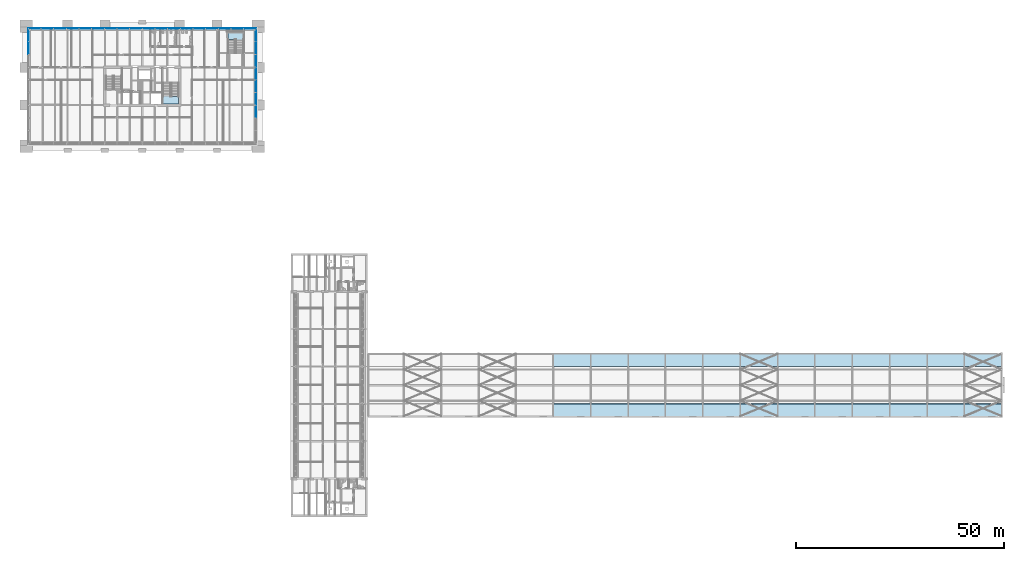
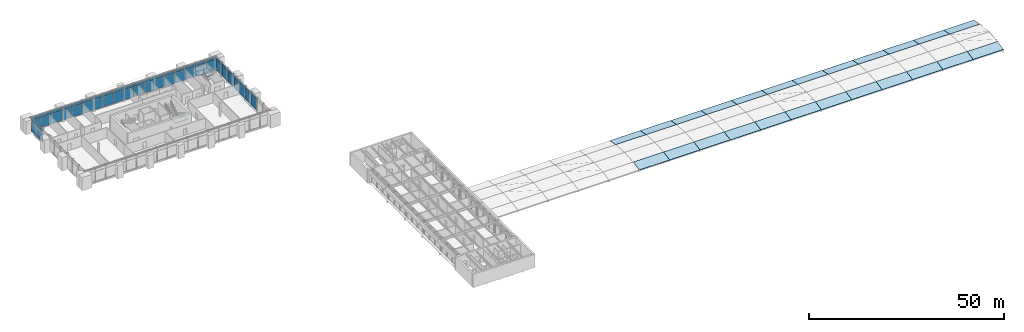
# One storey, part 18 of 43: 54 plates, 26 slabs, 5 elements without a shape of their own.
"""IFC4 building model written with IfcOpenShell, lengths in metres."""

from ifc_helpers import new_model, si_unit, direction, frame, origin, origin_2d, place, context, subcontext, project, spatial, polyline, rectangle, outline, extrude, material, layer, layer_set, type_object, element, aggregate, save


model = new_model("IFC4")

# Units and contexts
model_context = context("Model", 3, precision=1e-05, world=origin(), true_north=direction((0.0, 1.0)))
body_context = subcontext(model_context, "Body", "Model", "MODEL_VIEW")
ifc_project = project(units=[si_unit("LENGTHUNIT", "METRE"), si_unit("AREAUNIT", "SQUARE_METRE"), si_unit("VOLUMEUNIT", "CUBIC_METRE"), si_unit("PLANEANGLEUNIT", "RADIAN"), si_unit("MASSUNIT", "GRAM", prefix="KILO")], contexts=[model_context])

# Site, building, storey
site_placement = place(None, origin())
site = spatial("IfcSite", under=ifc_project, at=site_placement, CompositionType="ELEMENT")
building_placement = place(site_placement, origin())
building = spatial("IfcBuilding", under=site, at=building_placement, Name="Baradari Gate Terminus", CompositionType="ELEMENT")
storey_placement = place(building_placement, frame((0.0, 0.0, 20.10009765625)))
storey = spatial("IfcBuildingStorey", under=building, at=storey_placement, Name="L04", CompositionType="ELEMENT", Elevation=20.10009765625)

# Curtain wall, plates
ifc_material_1 = material(Name="Aluminium 6063-T6", Category="aluminium")
curtain_wall_type = type_object("IfcCurtainWallType", Name="Curtain wall CW-1 block unitised, zone L02-L05", PredefinedType="NOTDEFINED", material=ifc_material_1)
curtain_wall_1_placement = place(storey_placement, origin())
curtain_wall_1 = element("IfcCurtainWall", 1, at=curtain_wall_1_placement, inside=storey, type_object=curtain_wall_type, Name="Curtain wall CW-1 Operations block N face L04", PredefinedType="NOTDEFINED")
ifc_material_2 = material(Name="Insulating glass unit", Category="glass")
ifc_layer_1 = layer(ifc_material_2, 0.030029296875)
ifc_layer_set_1 = layer_set([ifc_layer_1], Name="Insulating glass unit")
plate_type_1 = type_object("IfcPlateType", Name="Curtain wall glazing unit CP-1 30", PredefinedType="CURTAIN_PANEL", material=ifc_layer_set_1)
plate_1_placement = place(storey_placement, frame((10.072265625, 144.3701171875, 0.06494140625), z_axis=(0.0, 0.0, 1.0), x_axis=(1.0, 0.0, 0.0)))
plate_1 = element("IfcPlate", 2, at=plate_1_placement, type_object=plate_type_1, Name="CW-1 panel 1.1", PredefinedType="CURTAIN_PANEL", context=body_context, shape_type="SweptSolid", body=[
    extrude(rectangle(XDim=2.954833984375, YDim=0.030029296875, at=origin_2d()), origin(), (0.0, 0.0, 1.0), 3.202392578125),
])
plate_2_placement = place(storey_placement, frame((13.1083984375, 144.3701171875, 0.06494140625), z_axis=(0.0, 0.0, 1.0), x_axis=(1.0, 0.0, 0.0)))
plate_2 = element("IfcPlate", 3, at=plate_2_placement, type_object=plate_type_1, Name="CW-1 panel 2.1", PredefinedType="CURTAIN_PANEL", context=body_context, shape_type="SweptSolid", body=[
    extrude(rectangle(XDim=2.9873046875, YDim=0.030029296875, at=origin_2d()), origin(), (0.0, 0.0, 1.0), 3.202392578125),
])
plate_3_placement = place(storey_placement, frame((16.16064453125, 144.3701171875, 0.06494140625), z_axis=(0.0, 0.0, 1.0), x_axis=(1.0, 0.0, 0.0)))
plate_3 = element("IfcPlate", 4, at=plate_3_placement, type_object=plate_type_1, Name="CW-1 panel 3.1", PredefinedType="CURTAIN_PANEL", context=body_context, shape_type="SweptSolid", body=[
    extrude(rectangle(XDim=2.9873046875, YDim=0.030029296875, at=origin_2d()), origin(), (0.0, 0.0, 1.0), 3.202392578125),
])
plate_4_placement = place(storey_placement, frame((19.212890625, 144.3701171875, 0.06494140625), z_axis=(0.0, 0.0, 1.0), x_axis=(1.0, 0.0, 0.0)))
plate_4 = element("IfcPlate", 5, at=plate_4_placement, type_object=plate_type_1, Name="CW-1 panel 4.1", PredefinedType="CURTAIN_PANEL", context=body_context, shape_type="SweptSolid", body=[
    extrude(rectangle(XDim=2.9873046875, YDim=0.030029296875, at=origin_2d()), origin(), (0.0, 0.0, 1.0), 3.202392578125),
])
plate_5_placement = place(storey_placement, frame((22.264892578125, 144.3701171875, 0.06494140625), z_axis=(0.0, 0.0, 1.0), x_axis=(1.0, 0.0, 0.0)))
plate_5 = element("IfcPlate", 6, at=plate_5_placement, type_object=plate_type_1, Name="CW-1 panel 5.1", PredefinedType="CURTAIN_PANEL", context=body_context, shape_type="SweptSolid", body=[
    extrude(rectangle(XDim=2.9873046875, YDim=0.030029296875, at=origin_2d()), origin(), (0.0, 0.0, 1.0), 3.202392578125),
])
plate_6_placement = place(storey_placement, frame((25.317138671875, 144.3701171875, 0.06494140625), z_axis=(0.0, 0.0, 1.0), x_axis=(1.0, 0.0, 0.0)))
plate_6 = element("IfcPlate", 7, at=plate_6_placement, type_object=plate_type_1, Name="CW-1 panel 6.1", PredefinedType="CURTAIN_PANEL", context=body_context, shape_type="SweptSolid", body=[
    extrude(rectangle(XDim=2.9873046875, YDim=0.030029296875, at=origin_2d()), origin(), (0.0, 0.0, 1.0), 3.202392578125),
])
plate_7_placement = place(storey_placement, frame((28.369384765625, 144.3701171875, 0.06494140625), z_axis=(0.0, 0.0, 1.0), x_axis=(1.0, 0.0, 0.0)))
plate_7 = element("IfcPlate", 8, at=plate_7_placement, type_object=plate_type_1, Name="CW-1 panel 7.1", PredefinedType="CURTAIN_PANEL", context=body_context, shape_type="SweptSolid", body=[
    extrude(rectangle(XDim=2.9873046875, YDim=0.030029296875, at=origin_2d()), origin(), (0.0, 0.0, 1.0), 3.202392578125),
])
plate_8_placement = place(storey_placement, frame((31.421630859375, 144.3701171875, 0.06494140625), z_axis=(0.0, 0.0, 1.0), x_axis=(1.0, 0.0, 0.0)))
plate_8 = element("IfcPlate", 9, at=plate_8_placement, type_object=plate_type_1, Name="CW-1 panel 8.1", PredefinedType="CURTAIN_PANEL", context=body_context, shape_type="SweptSolid", body=[
    extrude(rectangle(XDim=2.9873046875, YDim=0.030029296875, at=origin_2d()), origin(), (0.0, 0.0, 1.0), 3.202392578125),
])
plate_9_placement = place(storey_placement, frame((34.473876953125, 144.3701171875, 0.06494140625), z_axis=(0.0, 0.0, 1.0), x_axis=(1.0, 0.0, 0.0)))
plate_9 = element("IfcPlate", 10, at=plate_9_placement, type_object=plate_type_1, Name="CW-1 panel 9.1", PredefinedType="CURTAIN_PANEL", context=body_context, shape_type="SweptSolid", body=[
    extrude(rectangle(XDim=2.9873046875, YDim=0.030029296875, at=origin_2d()), origin(), (0.0, 0.0, 1.0), 3.202392578125),
])
plate_10_placement = place(storey_placement, frame((37.526123046875, 144.3701171875, 0.06494140625), z_axis=(0.0, 0.0, 1.0), x_axis=(1.0, 0.0, 0.0)))
plate_10 = element("IfcPlate", 11, at=plate_10_placement, type_object=plate_type_1, Name="CW-1 panel 10.1", PredefinedType="CURTAIN_PANEL", context=body_context, shape_type="SweptSolid", body=[
    extrude(rectangle(XDim=2.9873046875, YDim=0.030029296875, at=origin_2d()), origin(), (0.0, 0.0, 1.0), 3.202392578125),
])
plate_11_placement = place(storey_placement, frame((40.578369140625, 144.3701171875, 0.06494140625), z_axis=(0.0, 0.0, 1.0), x_axis=(1.0, 0.0, 0.0)))
plate_11 = element("IfcPlate", 12, at=plate_11_placement, type_object=plate_type_1, Name="CW-1 panel 11.1", PredefinedType="CURTAIN_PANEL", context=body_context, shape_type="SweptSolid", body=[
    extrude(rectangle(XDim=2.9873046875, YDim=0.030029296875, at=origin_2d()), origin(), (0.0, 0.0, 1.0), 3.202392578125),
])
plate_12_placement = place(storey_placement, frame((43.630615234375, 144.3701171875, 0.06494140625), z_axis=(0.0, 0.0, 1.0), x_axis=(1.0, 0.0, 0.0)))
plate_12 = element("IfcPlate", 13, at=plate_12_placement, type_object=plate_type_1, Name="CW-1 panel 12.1", PredefinedType="CURTAIN_PANEL", context=body_context, shape_type="SweptSolid", body=[
    extrude(rectangle(XDim=2.9873046875, YDim=0.030029296875, at=origin_2d()), origin(), (0.0, 0.0, 1.0), 3.202392578125),
])
plate_13_placement = place(storey_placement, frame((46.682861328125, 144.3701171875, 0.06494140625), z_axis=(0.0, 0.0, 1.0), x_axis=(1.0, 0.0, 0.0)))
plate_13 = element("IfcPlate", 14, at=plate_13_placement, type_object=plate_type_1, Name="CW-1 panel 13.1", PredefinedType="CURTAIN_PANEL", context=body_context, shape_type="SweptSolid", body=[
    extrude(rectangle(XDim=2.9873046875, YDim=0.030029296875, at=origin_2d()), origin(), (0.0, 0.0, 1.0), 3.202392578125),
])
plate_14_placement = place(storey_placement, frame((49.735107421875, 144.3701171875, 0.06494140625), z_axis=(0.0, 0.0, 1.0), x_axis=(1.0, 0.0, 0.0)))
plate_14 = element("IfcPlate", 15, at=plate_14_placement, type_object=plate_type_1, Name="CW-1 panel 14.1", PredefinedType="CURTAIN_PANEL", context=body_context, shape_type="SweptSolid", body=[
    extrude(rectangle(XDim=2.9873046875, YDim=0.030029296875, at=origin_2d()), origin(), (0.0, 0.0, 1.0), 3.202392578125),
])
plate_15_placement = place(storey_placement, frame((52.787109375, 144.3701171875, 0.06494140625), z_axis=(0.0, 0.0, 1.0), x_axis=(1.0, 0.0, 0.0)))
plate_15 = element("IfcPlate", 16, at=plate_15_placement, type_object=plate_type_1, Name="CW-1 panel 15.1", PredefinedType="CURTAIN_PANEL", context=body_context, shape_type="SweptSolid", body=[
    extrude(rectangle(XDim=2.9873046875, YDim=0.030029296875, at=origin_2d()), origin(), (0.0, 0.0, 1.0), 3.202392578125),
])
plate_16_placement = place(storey_placement, frame((55.83935546875, 144.3701171875, 0.06494140625), z_axis=(0.0, 0.0, 1.0), x_axis=(1.0, 0.0, 0.0)))
plate_16 = element("IfcPlate", 17, at=plate_16_placement, type_object=plate_type_1, Name="CW-1 panel 16.1", PredefinedType="CURTAIN_PANEL", context=body_context, shape_type="SweptSolid", body=[
    extrude(rectangle(XDim=2.9873046875, YDim=0.030029296875, at=origin_2d()), origin(), (0.0, 0.0, 1.0), 3.202392578125),
])
plate_17_placement = place(storey_placement, frame((58.8916015625, 144.3701171875, 0.06494140625), z_axis=(0.0, 0.0, 1.0), x_axis=(1.0, 0.0, 0.0)))
plate_17 = element("IfcPlate", 18, at=plate_17_placement, type_object=plate_type_1, Name="CW-1 panel 17.1", PredefinedType="CURTAIN_PANEL", context=body_context, shape_type="SweptSolid", body=[
    extrude(rectangle(XDim=2.9873046875, YDim=0.030029296875, at=origin_2d()), origin(), (0.0, 0.0, 1.0), 3.202392578125),
])
plate_18_placement = place(storey_placement, frame((61.927734375, 144.3701171875, 0.06494140625), z_axis=(0.0, 0.0, 1.0), x_axis=(1.0, 0.0, 0.0)))
plate_18 = element("IfcPlate", 19, at=plate_18_placement, type_object=plate_type_1, Name="CW-1 panel 18.1", PredefinedType="CURTAIN_PANEL", context=body_context, shape_type="SweptSolid", body=[
    extrude(rectangle(XDim=2.954833984375, YDim=0.030029296875, at=origin_2d()), origin(), (0.0, 0.0, 1.0), 3.202392578125),
])

curtain_wall_2_placement = place(storey_placement, origin())
curtain_wall_2 = element("IfcCurtainWall", 20, at=curtain_wall_2_placement, inside=storey, type_object=curtain_wall_type, Name="Curtain wall CW-1 Operations block W face L04", PredefinedType="NOTDEFINED")
plate_19_placement = place(storey_placement, frame((8.6298828125, 139.679931640625, 0.06494140625), z_axis=(0.0, 0.0, 1.0), x_axis=(0.0, 1.0, 0.0)))
plate_19 = element("IfcPlate", 21, at=plate_19_placement, type_object=plate_type_1, Name="CW-1 panel 8.1", PredefinedType="CURTAIN_PANEL", context=body_context, shape_type="SweptSolid", body=[
    extrude(rectangle(XDim=2.9951171875, YDim=0.030029296875, at=origin_2d()), origin(), (0.0, 0.0, 1.0), 3.202392578125),
])
plate_20_placement = place(storey_placement, frame((8.6298828125, 142.7236328125, 0.06494140625), z_axis=(0.0, 0.0, 1.0), x_axis=(0.0, 1.0, 0.0)))
plate_20 = element("IfcPlate", 22, at=plate_20_placement, type_object=plate_type_1, Name="CW-1 panel 9.1", PredefinedType="CURTAIN_PANEL", context=body_context, shape_type="SweptSolid", body=[
    extrude(rectangle(XDim=2.96240234375, YDim=0.030029296875, at=origin_2d()), origin(), (0.0, 0.0, 1.0), 3.202392578125),
])

curtain_wall_3_placement = place(storey_placement, origin())
curtain_wall_3 = element("IfcCurtainWall", 23, at=curtain_wall_3_placement, inside=storey, type_object=curtain_wall_type, Name="Curtain wall CW-1 Operations block E face L04", PredefinedType="NOTDEFINED")
plate_21_placement = place(storey_placement, frame((63.3701171875, 124.3798828125, 0.06494140625), z_axis=(0.0, 0.0, 1.0), x_axis=(0.0, 1.0, 0.0)))
plate_21 = element("IfcPlate", 24, at=plate_21_placement, type_object=plate_type_1, Name="CW-1 panel 3.1", PredefinedType="CURTAIN_PANEL", context=body_context, shape_type="SweptSolid", body=[
    extrude(rectangle(XDim=2.9951171875, YDim=0.030029296875, at=origin_2d()), origin(), (0.0, 0.0, 1.0), 3.202392578125),
])
plate_22_placement = place(storey_placement, frame((63.3701171875, 127.43994140625, 0.06494140625), z_axis=(0.0, 0.0, 1.0), x_axis=(0.0, 1.0, 0.0)))
plate_22 = element("IfcPlate", 25, at=plate_22_placement, type_object=plate_type_1, Name="CW-1 panel 4.1", PredefinedType="CURTAIN_PANEL", context=body_context, shape_type="SweptSolid", body=[
    extrude(rectangle(XDim=2.9951171875, YDim=0.030029296875, at=origin_2d()), origin(), (0.0, 0.0, 1.0), 3.202392578125),
])
plate_23_placement = place(storey_placement, frame((63.3701171875, 130.5, 0.06494140625), z_axis=(0.0, 0.0, 1.0), x_axis=(0.0, 1.0, 0.0)))
plate_23 = element("IfcPlate", 26, at=plate_23_placement, type_object=plate_type_1, Name="CW-1 panel 5.1", PredefinedType="CURTAIN_PANEL", context=body_context, shape_type="SweptSolid", body=[
    extrude(rectangle(XDim=2.9951171875, YDim=0.030029296875, at=origin_2d()), origin(), (0.0, 0.0, 1.0), 3.202392578125),
])
plate_24_placement = place(storey_placement, frame((63.3701171875, 133.56005859375, 0.06494140625), z_axis=(0.0, 0.0, 1.0), x_axis=(0.0, 1.0, 0.0)))
plate_24 = element("IfcPlate", 27, at=plate_24_placement, type_object=plate_type_1, Name="CW-1 panel 6.1", PredefinedType="CURTAIN_PANEL", context=body_context, shape_type="SweptSolid", body=[
    extrude(rectangle(XDim=2.9951171875, YDim=0.030029296875, at=origin_2d()), origin(), (0.0, 0.0, 1.0), 3.202392578125),
])
plate_25_placement = place(storey_placement, frame((63.3701171875, 136.6201171875, 0.06494140625), z_axis=(0.0, 0.0, 1.0), x_axis=(0.0, 1.0, 0.0)))
plate_25 = element("IfcPlate", 28, at=plate_25_placement, type_object=plate_type_1, Name="CW-1 panel 7.1", PredefinedType="CURTAIN_PANEL", context=body_context, shape_type="SweptSolid", body=[
    extrude(rectangle(XDim=2.9951171875, YDim=0.030029296875, at=origin_2d()), origin(), (0.0, 0.0, 1.0), 3.202392578125),
])
plate_26_placement = place(storey_placement, frame((63.3701171875, 139.679931640625, 0.06494140625), z_axis=(0.0, 0.0, 1.0), x_axis=(0.0, 1.0, 0.0)))
plate_26 = element("IfcPlate", 29, at=plate_26_placement, type_object=plate_type_1, Name="CW-1 panel 8.1", PredefinedType="CURTAIN_PANEL", context=body_context, shape_type="SweptSolid", body=[
    extrude(rectangle(XDim=2.9951171875, YDim=0.030029296875, at=origin_2d()), origin(), (0.0, 0.0, 1.0), 3.202392578125),
])
plate_27_placement = place(storey_placement, frame((63.3701171875, 142.7236328125, 0.06494140625), z_axis=(0.0, 0.0, 1.0), x_axis=(0.0, 1.0, 0.0)))
plate_27 = element("IfcPlate", 30, at=plate_27_placement, type_object=plate_type_1, Name="CW-1 panel 9.1", PredefinedType="CURTAIN_PANEL", context=body_context, shape_type="SweptSolid", body=[
    extrude(rectangle(XDim=2.96240234375, YDim=0.030029296875, at=origin_2d()), origin(), (0.0, 0.0, 1.0), 3.202392578125),
])

# Plate
ifc_material_3 = material(Name="Back-painted glass", Category="glass")
ifc_layer_2 = layer(ifc_material_3, 0.070068359375)
ifc_layer_set_2 = layer_set([ifc_layer_2], Name="Back-painted glass")
plate_type_2 = type_object("IfcPlateType", Name="Curtain wall spandrel panel CP-S1 70", PredefinedType="CURTAIN_PANEL", material=ifc_layer_set_2)
plate_28_placement = place(storey_placement, frame((10.072265625, 144.3701171875, 3.33251953125), z_axis=(0.0, 0.0, 1.0), x_axis=(1.0, 0.0, 0.0)))
plate_28 = element("IfcPlate", 31, at=plate_28_placement, type_object=plate_type_2, Name="CW-1 spandrel panel 1.2", PredefinedType="CURTAIN_PANEL", context=body_context, shape_type="SweptSolid", body=[
    extrude(rectangle(XDim=2.954833984375, YDim=0.070068359375, at=origin_2d()), origin(), (0.0, 0.0, 1.0), 0.802490234375),
])

plate_29_placement = place(storey_placement, frame((13.1083984375, 144.3701171875, 3.33251953125), z_axis=(0.0, 0.0, 1.0), x_axis=(1.0, 0.0, 0.0)))
plate_29 = element("IfcPlate", 32, at=plate_29_placement, type_object=plate_type_2, Name="CW-1 spandrel panel 2.2", PredefinedType="CURTAIN_PANEL", context=body_context, shape_type="SweptSolid", body=[
    extrude(rectangle(XDim=2.9873046875, YDim=0.070068359375, at=origin_2d()), origin(), (0.0, 0.0, 1.0), 0.802490234375),
])

plate_30_placement = place(storey_placement, frame((16.16064453125, 144.3701171875, 3.33251953125), z_axis=(0.0, 0.0, 1.0), x_axis=(1.0, 0.0, 0.0)))
plate_30 = element("IfcPlate", 33, at=plate_30_placement, type_object=plate_type_2, Name="CW-1 spandrel panel 3.2", PredefinedType="CURTAIN_PANEL", context=body_context, shape_type="SweptSolid", body=[
    extrude(rectangle(XDim=2.9873046875, YDim=0.070068359375, at=origin_2d()), origin(), (0.0, 0.0, 1.0), 0.802490234375),
])

plate_31_placement = place(storey_placement, frame((19.212890625, 144.3701171875, 3.33251953125), z_axis=(0.0, 0.0, 1.0), x_axis=(1.0, 0.0, 0.0)))
plate_31 = element("IfcPlate", 34, at=plate_31_placement, type_object=plate_type_2, Name="CW-1 spandrel panel 4.2", PredefinedType="CURTAIN_PANEL", context=body_context, shape_type="SweptSolid", body=[
    extrude(rectangle(XDim=2.9873046875, YDim=0.070068359375, at=origin_2d()), origin(), (0.0, 0.0, 1.0), 0.802490234375),
])

plate_32_placement = place(storey_placement, frame((22.264892578125, 144.3701171875, 3.33251953125), z_axis=(0.0, 0.0, 1.0), x_axis=(1.0, 0.0, 0.0)))
plate_32 = element("IfcPlate", 35, at=plate_32_placement, type_object=plate_type_2, Name="CW-1 spandrel panel 5.2", PredefinedType="CURTAIN_PANEL", context=body_context, shape_type="SweptSolid", body=[
    extrude(rectangle(XDim=2.9873046875, YDim=0.070068359375, at=origin_2d()), origin(), (0.0, 0.0, 1.0), 0.802490234375),
])

plate_33_placement = place(storey_placement, frame((25.317138671875, 144.3701171875, 3.33251953125), z_axis=(0.0, 0.0, 1.0), x_axis=(1.0, 0.0, 0.0)))
plate_33 = element("IfcPlate", 36, at=plate_33_placement, type_object=plate_type_2, Name="CW-1 spandrel panel 6.2", PredefinedType="CURTAIN_PANEL", context=body_context, shape_type="SweptSolid", body=[
    extrude(rectangle(XDim=2.9873046875, YDim=0.070068359375, at=origin_2d()), origin(), (0.0, 0.0, 1.0), 0.802490234375),
])

plate_34_placement = place(storey_placement, frame((28.369384765625, 144.3701171875, 3.33251953125), z_axis=(0.0, 0.0, 1.0), x_axis=(1.0, 0.0, 0.0)))
plate_34 = element("IfcPlate", 37, at=plate_34_placement, type_object=plate_type_2, Name="CW-1 spandrel panel 7.2", PredefinedType="CURTAIN_PANEL", context=body_context, shape_type="SweptSolid", body=[
    extrude(rectangle(XDim=2.9873046875, YDim=0.070068359375, at=origin_2d()), origin(), (0.0, 0.0, 1.0), 0.802490234375),
])

plate_35_placement = place(storey_placement, frame((31.421630859375, 144.3701171875, 3.33251953125), z_axis=(0.0, 0.0, 1.0), x_axis=(1.0, 0.0, 0.0)))
plate_35 = element("IfcPlate", 38, at=plate_35_placement, type_object=plate_type_2, Name="CW-1 spandrel panel 8.2", PredefinedType="CURTAIN_PANEL", context=body_context, shape_type="SweptSolid", body=[
    extrude(rectangle(XDim=2.9873046875, YDim=0.070068359375, at=origin_2d()), origin(), (0.0, 0.0, 1.0), 0.802490234375),
])

plate_36_placement = place(storey_placement, frame((34.473876953125, 144.3701171875, 3.33251953125), z_axis=(0.0, 0.0, 1.0), x_axis=(1.0, 0.0, 0.0)))
plate_36 = element("IfcPlate", 39, at=plate_36_placement, type_object=plate_type_2, Name="CW-1 spandrel panel 9.2", PredefinedType="CURTAIN_PANEL", context=body_context, shape_type="SweptSolid", body=[
    extrude(rectangle(XDim=2.9873046875, YDim=0.070068359375, at=origin_2d()), origin(), (0.0, 0.0, 1.0), 0.802490234375),
])

plate_37_placement = place(storey_placement, frame((37.526123046875, 144.3701171875, 3.33251953125), z_axis=(0.0, 0.0, 1.0), x_axis=(1.0, 0.0, 0.0)))
plate_37 = element("IfcPlate", 40, at=plate_37_placement, type_object=plate_type_2, Name="CW-1 spandrel panel 10.2", PredefinedType="CURTAIN_PANEL", context=body_context, shape_type="SweptSolid", body=[
    extrude(rectangle(XDim=2.9873046875, YDim=0.070068359375, at=origin_2d()), origin(), (0.0, 0.0, 1.0), 0.802490234375),
])

plate_38_placement = place(storey_placement, frame((40.578369140625, 144.3701171875, 3.33251953125), z_axis=(0.0, 0.0, 1.0), x_axis=(1.0, 0.0, 0.0)))
plate_38 = element("IfcPlate", 41, at=plate_38_placement, type_object=plate_type_2, Name="CW-1 spandrel panel 11.2", PredefinedType="CURTAIN_PANEL", context=body_context, shape_type="SweptSolid", body=[
    extrude(rectangle(XDim=2.9873046875, YDim=0.070068359375, at=origin_2d()), origin(), (0.0, 0.0, 1.0), 0.802490234375),
])

plate_39_placement = place(storey_placement, frame((43.630615234375, 144.3701171875, 3.33251953125), z_axis=(0.0, 0.0, 1.0), x_axis=(1.0, 0.0, 0.0)))
plate_39 = element("IfcPlate", 42, at=plate_39_placement, type_object=plate_type_2, Name="CW-1 spandrel panel 12.2", PredefinedType="CURTAIN_PANEL", context=body_context, shape_type="SweptSolid", body=[
    extrude(rectangle(XDim=2.9873046875, YDim=0.070068359375, at=origin_2d()), origin(), (0.0, 0.0, 1.0), 0.802490234375),
])

plate_40_placement = place(storey_placement, frame((46.682861328125, 144.3701171875, 3.33251953125), z_axis=(0.0, 0.0, 1.0), x_axis=(1.0, 0.0, 0.0)))
plate_40 = element("IfcPlate", 43, at=plate_40_placement, type_object=plate_type_2, Name="CW-1 spandrel panel 13.2", PredefinedType="CURTAIN_PANEL", context=body_context, shape_type="SweptSolid", body=[
    extrude(rectangle(XDim=2.9873046875, YDim=0.070068359375, at=origin_2d()), origin(), (0.0, 0.0, 1.0), 0.802490234375),
])

plate_41_placement = place(storey_placement, frame((49.735107421875, 144.3701171875, 3.33251953125), z_axis=(0.0, 0.0, 1.0), x_axis=(1.0, 0.0, 0.0)))
plate_41 = element("IfcPlate", 44, at=plate_41_placement, type_object=plate_type_2, Name="CW-1 spandrel panel 14.2", PredefinedType="CURTAIN_PANEL", context=body_context, shape_type="SweptSolid", body=[
    extrude(rectangle(XDim=2.9873046875, YDim=0.070068359375, at=origin_2d()), origin(), (0.0, 0.0, 1.0), 0.802490234375),
])

plate_42_placement = place(storey_placement, frame((52.787109375, 144.3701171875, 3.33251953125), z_axis=(0.0, 0.0, 1.0), x_axis=(1.0, 0.0, 0.0)))
plate_42 = element("IfcPlate", 45, at=plate_42_placement, type_object=plate_type_2, Name="CW-1 spandrel panel 15.2", PredefinedType="CURTAIN_PANEL", context=body_context, shape_type="SweptSolid", body=[
    extrude(rectangle(XDim=2.9873046875, YDim=0.070068359375, at=origin_2d()), origin(), (0.0, 0.0, 1.0), 0.802490234375),
])

plate_43_placement = place(storey_placement, frame((55.83935546875, 144.3701171875, 3.33251953125), z_axis=(0.0, 0.0, 1.0), x_axis=(1.0, 0.0, 0.0)))
plate_43 = element("IfcPlate", 46, at=plate_43_placement, type_object=plate_type_2, Name="CW-1 spandrel panel 16.2", PredefinedType="CURTAIN_PANEL", context=body_context, shape_type="SweptSolid", body=[
    extrude(rectangle(XDim=2.9873046875, YDim=0.070068359375, at=origin_2d()), origin(), (0.0, 0.0, 1.0), 0.802490234375),
])

plate_44_placement = place(storey_placement, frame((58.8916015625, 144.3701171875, 3.33251953125), z_axis=(0.0, 0.0, 1.0), x_axis=(1.0, 0.0, 0.0)))
plate_44 = element("IfcPlate", 47, at=plate_44_placement, type_object=plate_type_2, Name="CW-1 spandrel panel 17.2", PredefinedType="CURTAIN_PANEL", context=body_context, shape_type="SweptSolid", body=[
    extrude(rectangle(XDim=2.9873046875, YDim=0.070068359375, at=origin_2d()), origin(), (0.0, 0.0, 1.0), 0.802490234375),
])

plate_45_placement = place(storey_placement, frame((61.927734375, 144.3701171875, 3.33251953125), z_axis=(0.0, 0.0, 1.0), x_axis=(1.0, 0.0, 0.0)))
plate_45 = element("IfcPlate", 48, at=plate_45_placement, type_object=plate_type_2, Name="CW-1 spandrel panel 18.2", PredefinedType="CURTAIN_PANEL", context=body_context, shape_type="SweptSolid", body=[
    extrude(rectangle(XDim=2.954833984375, YDim=0.070068359375, at=origin_2d()), origin(), (0.0, 0.0, 1.0), 0.802490234375),
])

aggregate(curtain_wall_1, [plate_1, plate_28, plate_2, plate_29, plate_3, plate_30, plate_4, plate_31, plate_5, plate_32, plate_6, plate_33, plate_7, plate_34, plate_8, plate_35, plate_9, plate_36, plate_10, plate_37, plate_11, plate_38, plate_12, plate_39, plate_13, plate_40, plate_14, plate_41, plate_15, plate_42, plate_16, plate_43, plate_17, plate_44, plate_18, plate_45])

plate_46_placement = place(storey_placement, frame((8.6298828125, 139.679931640625, 3.33251953125), z_axis=(0.0, 0.0, 1.0), x_axis=(0.0, 1.0, 0.0)))
plate_46 = element("IfcPlate", 49, at=plate_46_placement, type_object=plate_type_2, Name="CW-1 spandrel panel 8.2", PredefinedType="CURTAIN_PANEL", context=body_context, shape_type="SweptSolid", body=[
    extrude(rectangle(XDim=2.9951171875, YDim=0.070068359375, at=origin_2d()), origin(), (0.0, 0.0, 1.0), 0.802490234375),
])

plate_47_placement = place(storey_placement, frame((8.6298828125, 142.7236328125, 3.33251953125), z_axis=(0.0, 0.0, 1.0), x_axis=(0.0, 1.0, 0.0)))
plate_47 = element("IfcPlate", 50, at=plate_47_placement, type_object=plate_type_2, Name="CW-1 spandrel panel 9.2", PredefinedType="CURTAIN_PANEL", context=body_context, shape_type="SweptSolid", body=[
    extrude(rectangle(XDim=2.96240234375, YDim=0.070068359375, at=origin_2d()), origin(), (0.0, 0.0, 1.0), 0.802490234375),
])

aggregate(curtain_wall_2, [plate_19, plate_46, plate_20, plate_47])

plate_48_placement = place(storey_placement, frame((63.3701171875, 124.3798828125, 3.33251953125), z_axis=(0.0, 0.0, 1.0), x_axis=(0.0, 1.0, 0.0)))
plate_48 = element("IfcPlate", 51, at=plate_48_placement, type_object=plate_type_2, Name="CW-1 spandrel panel 3.2", PredefinedType="CURTAIN_PANEL", context=body_context, shape_type="SweptSolid", body=[
    extrude(rectangle(XDim=2.9951171875, YDim=0.070068359375, at=origin_2d()), origin(), (0.0, 0.0, 1.0), 0.802490234375),
])

plate_49_placement = place(storey_placement, frame((63.3701171875, 127.43994140625, 3.33251953125), z_axis=(0.0, 0.0, 1.0), x_axis=(0.0, 1.0, 0.0)))
plate_49 = element("IfcPlate", 52, at=plate_49_placement, type_object=plate_type_2, Name="CW-1 spandrel panel 4.2", PredefinedType="CURTAIN_PANEL", context=body_context, shape_type="SweptSolid", body=[
    extrude(rectangle(XDim=2.9951171875, YDim=0.070068359375, at=origin_2d()), origin(), (0.0, 0.0, 1.0), 0.802490234375),
])

plate_50_placement = place(storey_placement, frame((63.3701171875, 130.5, 3.33251953125), z_axis=(0.0, 0.0, 1.0), x_axis=(0.0, 1.0, 0.0)))
plate_50 = element("IfcPlate", 53, at=plate_50_placement, type_object=plate_type_2, Name="CW-1 spandrel panel 5.2", PredefinedType="CURTAIN_PANEL", context=body_context, shape_type="SweptSolid", body=[
    extrude(rectangle(XDim=2.9951171875, YDim=0.070068359375, at=origin_2d()), origin(), (0.0, 0.0, 1.0), 0.802490234375),
])

plate_51_placement = place(storey_placement, frame((63.3701171875, 133.56005859375, 3.33251953125), z_axis=(0.0, 0.0, 1.0), x_axis=(0.0, 1.0, 0.0)))
plate_51 = element("IfcPlate", 54, at=plate_51_placement, type_object=plate_type_2, Name="CW-1 spandrel panel 6.2", PredefinedType="CURTAIN_PANEL", context=body_context, shape_type="SweptSolid", body=[
    extrude(rectangle(XDim=2.9951171875, YDim=0.070068359375, at=origin_2d()), origin(), (0.0, 0.0, 1.0), 0.802490234375),
])

plate_52_placement = place(storey_placement, frame((63.3701171875, 136.6201171875, 3.33251953125), z_axis=(0.0, 0.0, 1.0), x_axis=(0.0, 1.0, 0.0)))
plate_52 = element("IfcPlate", 55, at=plate_52_placement, type_object=plate_type_2, Name="CW-1 spandrel panel 7.2", PredefinedType="CURTAIN_PANEL", context=body_context, shape_type="SweptSolid", body=[
    extrude(rectangle(XDim=2.9951171875, YDim=0.070068359375, at=origin_2d()), origin(), (0.0, 0.0, 1.0), 0.802490234375),
])

plate_53_placement = place(storey_placement, frame((63.3701171875, 139.679931640625, 3.33251953125), z_axis=(0.0, 0.0, 1.0), x_axis=(0.0, 1.0, 0.0)))
plate_53 = element("IfcPlate", 56, at=plate_53_placement, type_object=plate_type_2, Name="CW-1 spandrel panel 8.2", PredefinedType="CURTAIN_PANEL", context=body_context, shape_type="SweptSolid", body=[
    extrude(rectangle(XDim=2.9951171875, YDim=0.070068359375, at=origin_2d()), origin(), (0.0, 0.0, 1.0), 0.802490234375),
])

plate_54_placement = place(storey_placement, frame((63.3701171875, 142.7236328125, 3.33251953125), z_axis=(0.0, 0.0, 1.0), x_axis=(0.0, 1.0, 0.0)))
plate_54 = element("IfcPlate", 57, at=plate_54_placement, type_object=plate_type_2, Name="CW-1 spandrel panel 9.2", PredefinedType="CURTAIN_PANEL", context=body_context, shape_type="SweptSolid", body=[
    extrude(rectangle(XDim=2.96240234375, YDim=0.070068359375, at=origin_2d()), origin(), (0.0, 0.0, 1.0), 0.802490234375),
])

aggregate(curtain_wall_3, [plate_21, plate_48, plate_22, plate_49, plate_23, plate_50, plate_24, plate_51, plate_25, plate_52, plate_26, plate_53, plate_27, plate_54])

# Slabs
ifc_material_4 = material(Name="Aluminium", Category="aluminium")
ifc_layer_3 = layer(ifc_material_4, 0.1201171875)
ifc_layer_set_3 = layer_set([ifc_layer_3], Name="Aluminium")
slab_type_1 = type_object("IfcSlabType", Name="Shed roof panel", PredefinedType="ROOF", material=ifc_layer_set_3)
for number, where, z_axis, x_axis, name in (
    (58, (135.0, 50.901123046875, 0.212890625), (0.0, -0.195496148025, 0.980704469301), (1.0, 0.0, 0.0), "RF/L04/B144-RP04"),
    (59, (135.0, 62.9794921875, 0.834716796875), (0.0, 0.195496148025, 0.980704469301), (1.0, 0.0, 0.0), "RF/L04/B144-RP07"),
    (60, (144.0, 50.901123046875, 0.212890625), (0.0, -0.195496148025, 0.980704469301), (1.0, 0.0, 0.0), "RF/L04/B153-RP04"),
    (61, (144.0, 62.9794921875, 0.834716796875), (0.0, 0.195496148025, 0.980704469301), (1.0, 0.0, 0.0), "RF/L04/B153-RP07"),
    (62, (153.0, 50.901123046875, 0.212890625), (0.0, -0.195496148025, 0.980704469301), (1.0, 0.0, 0.0), "RF/L04/B162-RP04"),
    (63, (153.0, 62.9794921875, 0.834716796875), (0.0, 0.195496148025, 0.980704469301), (1.0, 0.0, 0.0), "RF/L04/B162-RP07"),
    (64, (162.0, 50.901123046875, 0.212890625), (0.0, -0.195496148025, 0.980704469301), (1.0, 0.0, 0.0), "RF/L04/B171-RP04"),
    (65, (162.0, 62.9794921875, 0.834716796875), (0.0, 0.195496148025, 0.980704469301), (1.0, 0.0, 0.0), "RF/L04/B171-RP07"),
    (66, (171.0, 50.901123046875, 0.212890625), (0.0, -0.195496148025, 0.980704469301), (1.0, 0.0, 0.0), "RF/L04/B180-RP04"),
    (67, (171.0, 62.9794921875, 0.834716796875), (0.0, 0.195496148025, 0.980704469301), (1.0, 0.0, 0.0), "RF/L04/B180-RP07"),
    (68, (180.0, 50.901123046875, 0.212890625), (0.0, -0.195496148025, 0.980704469301), (1.0, 0.0, 0.0), "RF/L04/B189-RP04"),
    (69, (180.0, 62.9794921875, 0.834716796875), (0.0, 0.195496148025, 0.980704469301), (1.0, 0.0, 0.0), "RF/L04/B189-RP07"),
    (70, (189.0, 50.901123046875, 0.212890625), (0.0, -0.195496148025, 0.980704469301), (1.0, 0.0, 0.0), "RF/L04/B198-RP04"),
    (71, (189.0, 62.9794921875, 0.834716796875), (0.0, 0.195496148025, 0.980704469301), (1.0, 0.0, 0.0), "RF/L04/B198-RP07"),
    (72, (198.0, 50.901123046875, 0.212890625), (0.0, -0.195496148025, 0.980704469301), (1.0, 0.0, 0.0), "RF/L04/B207-RP04"),
    (73, (198.0, 62.9794921875, 0.834716796875), (0.0, 0.195496148025, 0.980704469301), (1.0, 0.0, 0.0), "RF/L04/B207-RP07"),
    (74, (207.0, 50.901123046875, 0.212890625), (0.0, -0.195496148025, 0.980704469301), (1.0, 0.0, 0.0), "RF/L04/B216-RP04"),
    (75, (207.0, 62.9794921875, 0.834716796875), (0.0, 0.195496148025, 0.980704469301), (1.0, 0.0, 0.0), "RF/L04/B216-RP07"),
    (76, (216.0, 50.901123046875, 0.212890625), (0.0, -0.195496148025, 0.980704469301), (1.0, 0.0, 0.0), "RF/L04/B225-RP04"),
    (77, (216.0, 62.9794921875, 0.834716796875), (0.0, 0.195496148025, 0.980704469301), (1.0, 0.0, 0.0), "RF/L04/B225-RP07"),
    (78, (225.0, 50.901123046875, 0.212890625), (0.0, -0.195496148025, 0.980704469301), (1.0, 0.0, 0.0), "RF/L04/B234-RP04"),
    (79, (225.0, 62.9794921875, 0.834716796875), (0.0, 0.195496148025, 0.980704469301), (1.0, 0.0, 0.0), "RF/L04/B234-RP07"),
    (80, (234.0, 50.901123046875, 0.212890625), (0.0, -0.195496148025, 0.980704469301), (1.0, 0.0, 0.0), "RF/L04/B243-RP04"),
    (81, (234.0, 62.9794921875, 0.834716796875), (0.0, 0.195496148025, 0.980704469301), (1.0, 0.0, 0.0), "RF/L04/B243-RP07"),
):
    element("IfcSlab", number, at=place(storey_placement, frame(where, z_axis=z_axis, x_axis=x_axis)), inside=storey, type_object=slab_type_1, Name=name, PredefinedType="ROOF", context=body_context, shape_type="SweptSolid", body=[
        extrude(outline(polyline([(0.0, 0.0), (9.0, 0.0), (9.0, 3.1807592024612696), (0.0, 3.1807592024612696), (0.0, 0.0)])), origin(), (0.0, 0.0, -1.0), 0.1201171875),
    ])

# Stair, slab
ifc_material_5 = material(Name="Concrete C32/40", Category="concrete")
stair_type_1 = type_object("IfcStairType", Name="Exit stair ST-T2 riser 175 x 1800", PredefinedType="HALF_TURN_STAIR", material=ifc_material_5)
stair_1_placement = place(storey_placement, origin())
stair_1 = element("IfcStair", 82, at=stair_1_placement, inside=storey, type_object=stair_type_1, Name="Stair ST-T2 L04 to L05", PredefinedType="HALF_TURN_STAIR")
ifc_material_6 = material(Name="Concrete C32/40", Category="concrete")
ifc_layer_4 = layer(ifc_material_6, 0.199951171875)
ifc_layer_set_4 = layer_set([ifc_layer_4], Name="Concrete C32/40")
slab_type_2 = type_object("IfcSlabType", Name="Stair landing LS-1 200", PredefinedType="LANDING", material=ifc_layer_set_4)
slab_1_placement = place(storey_placement, frame((0.0, 0.0, 1.89990234375)))
slab_1 = element("IfcSlab", 83, at=slab_1_placement, type_object=slab_type_2, Name="ST-T2 landing 1", PredefinedType="LANDING", context=body_context, shape_type="SweptSolid", body=[
    extrude(outline(polyline([(44.77490234375, 126.22509765625), (44.77490234375, 128.044921875), (42.97509765625, 128.044921875), (42.97509765625, 129.56005859375), (42.77490234375, 129.56005859375), (40.97509765625, 129.56005859375), (40.97509765625, 126.22509765625), (44.77490234375, 126.22509765625)])), origin(), (0.0, 0.0, 1.0), 0.199951171875),
])
aggregate(stair_1, [slab_1])

ifc_material_7 = material(Name="Concrete C32/40", Category="concrete")
stair_type_2 = type_object("IfcStairType", Name="Exit stair ST-T3 riser 175 x 1800", PredefinedType="HALF_TURN_STAIR", material=ifc_material_7)
stair_2_placement = place(storey_placement, origin())
stair_2 = element("IfcStair", 84, at=stair_2_placement, inside=storey, type_object=stair_type_2, Name="Stair ST-T3 L04 to L05", PredefinedType="HALF_TURN_STAIR")
slab_2_placement = place(storey_placement, frame((0.0, 0.0, 1.89990234375)))
slab_2 = element("IfcSlab", 85, at=slab_2_placement, type_object=slab_type_2, Name="ST-T3 landing 1", PredefinedType="LANDING", context=body_context, shape_type="SweptSolid", body=[
    extrude(outline(polyline([(56.60009765625, 143.60009765625), (56.60009765625, 141.780029296875), (58.39990234375, 141.780029296875), (58.39990234375, 140.264892578125), (58.60009765625, 140.264892578125), (60.39990234375, 140.264892578125), (60.39990234375, 143.60009765625), (56.60009765625, 143.60009765625)])), origin(), (0.0, 0.0, 1.0), 0.199951171875),
])
aggregate(stair_2, [slab_2])

save(model, "model.ifc")
